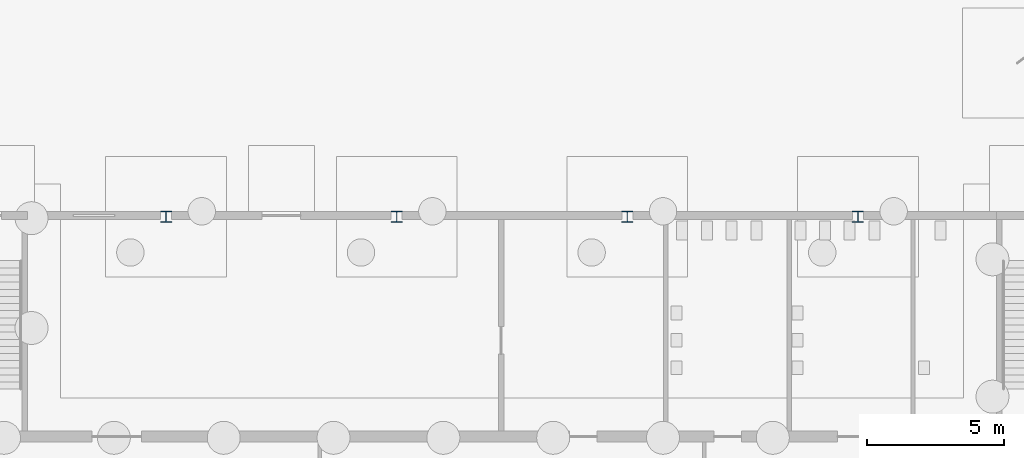
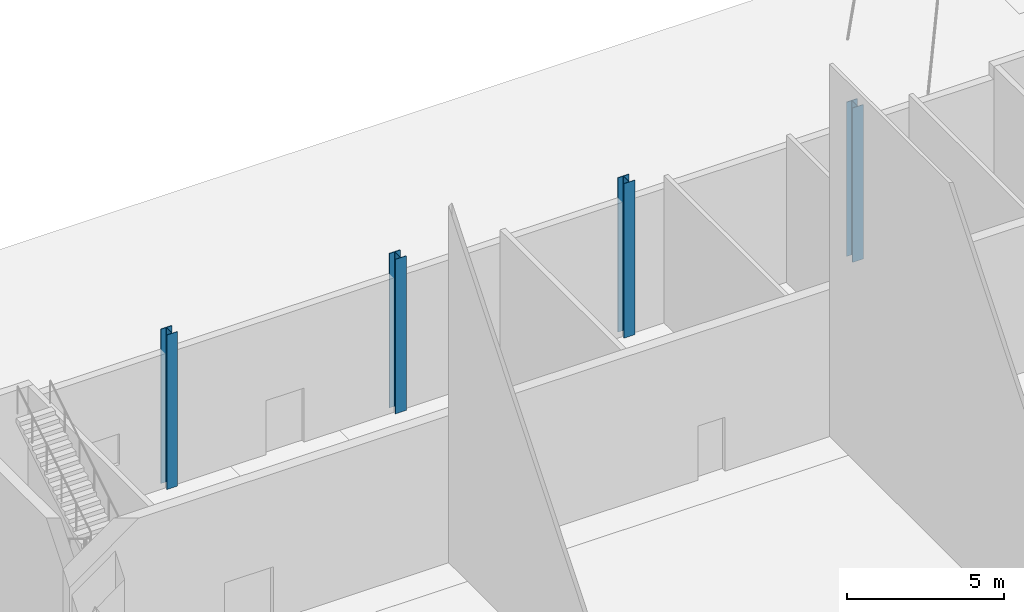
# One storey, part 23 of 108: 4 columns.
"""IFC4 building model written with IfcOpenShell, lengths in metres."""

import ifcopenshell
import ifcopenshell.guid

model = None  # the IFC model being written
_history = None  # IfcOwnerHistory: only IFC2X3 demands one
_inside = {}  # id of a spatial element -> (the spatial element, [elements in it])
_under = {}  # id of a project, library or spatial element -> (it, [spatial elements below it])
_declared = {}  # id of a project -> (the project, [libraries it declares])
_typed = {}  # id of a type object -> (the type object, [elements of that type])
_made_of = {}  # id of a material, layer set ... -> (it, [elements and type objects made of it])


def new_model(schema):
    """Start an empty IFC model of exactly this schema.

    Asked for "IFC4X3", IfcOpenShell would pick the latest addendum, in which some entities
    have other attributes; the version numbers below select the first issue.
    IFC2X3 requires an IfcOwnerHistory on every rooted entity: one is made here for all.
    """
    global model, _history
    if schema == "IFC4X3":
        model = ifcopenshell.file(schema_version=(4, 3, 0, 0))
    else:
        model = ifcopenshell.file(schema=schema)
    _inside.clear()
    _under.clear()
    _declared.clear()
    _typed.clear()
    _made_of.clear()
    _history = None
    if model.schema == "IFC2X3":
        org = make("IfcOrganization", Name="unknown")
        user = make(
            "IfcPersonAndOrganization",
            ThePerson=make("IfcPerson", FamilyName="unknown"),
            TheOrganization=org,
        )
        app = make(
            "IfcApplication",
            ApplicationDeveloper=org,
            Version="unknown",
            ApplicationFullName="unknown",
            ApplicationIdentifier="unknown",
        )
        _history = make(
            "IfcOwnerHistory",
            OwningUser=user,
            OwningApplication=app,
            ChangeAction="ADDED",
            CreationDate=0,
        )
    return model


def make(cls, **values):
    """One entity of the class cls with the attributes given. An attribute that is None is left unset."""
    return model.create_entity(
        cls, **{name: value for name, value in values.items() if value is not None}
    )


def rooted(cls, **values):
    """An entity with a GlobalId (a new one), such as an element, a storey or a relation."""
    return make(cls, GlobalId=ifcopenshell.guid.new(), OwnerHistory=_history, **values)


def si_unit(unit_type, name, prefix=None):
    """IfcSIUnit, for example si_unit("LENGTHUNIT", "METRE", prefix="MILLI")."""
    return make("IfcSIUnit", UnitType=unit_type, Prefix=prefix, Name=name)


def assignment(units):
    """IfcUnitAssignment: the units of a project."""
    return None if units is None else make("IfcUnitAssignment", Units=units)


def point(xyz):
    """IfcCartesianPoint."""
    return None if xyz is None else make("IfcCartesianPoint", Coordinates=xyz)


def direction(xyz):
    """IfcDirection."""
    return None if xyz is None else make("IfcDirection", DirectionRatios=xyz)


def frame(location, z_axis=None, x_axis=None):
    """IfcAxis2Placement3D, a coordinate frame: its origin and axes. An axis left out is left unset."""
    return make(
        "IfcAxis2Placement3D",
        Location=point(location),
        Axis=direction(z_axis),
        RefDirection=direction(x_axis),
    )


def frame_2d(location, x_axis=None):
    """IfcAxis2Placement2D, a coordinate frame in the plane: its origin and x axis."""
    return make(
        "IfcAxis2Placement2D", Location=point(location), RefDirection=direction(x_axis)
    )


def origin():
    """The frame at (0, 0, 0) with its axes left unset."""
    return frame((0.0, 0.0, 0.0))


def origin_2d():
    """The frame at (0, 0) in the plane with its x axis left unset."""
    return frame_2d((0.0, 0.0))


def place(relative_to, where):
    """IfcLocalPlacement: puts the frame where relative to a parent placement (None: the world)."""
    return make(
        "IfcLocalPlacement", PlacementRelTo=relative_to, RelativePlacement=where
    )


def context(
    kind, dimensions, precision=None, world=None, true_north=None, identifier=None
):
    """IfcGeometricRepresentationContext, for example the 3D "Model" context."""
    return make(
        "IfcGeometricRepresentationContext",
        ContextIdentifier=identifier,
        ContextType=kind,
        CoordinateSpaceDimension=dimensions,
        Precision=precision,
        WorldCoordinateSystem=world,
        TrueNorth=true_north,
    )


def subcontext(parent, identifier, kind, view, scale=None):
    """IfcGeometricRepresentationSubContext, for example "Body" below "Model"."""
    return make(
        "IfcGeometricRepresentationSubContext",
        ContextIdentifier=identifier,
        ContextType=kind,
        ParentContext=parent,
        TargetScale=scale,
        TargetView=view,
    )


def project(units=None, contexts=None):
    """IfcProject with its units and contexts."""
    return rooted(
        "IfcProject",
        Name="project",
        RepresentationContexts=contexts,
        UnitsInContext=assignment(units),
    )


def spatial(cls, under=None, at=None, **own):
    """A site, building, storey or space (cls), placed at a placement, below another one or the project."""
    s = rooted(cls, ObjectPlacement=at, **own)
    if under is not None:
        _under.setdefault(under.id(), (under, []))[1].append(s)
    return s


def profile(cls, at=None, kind="AREA", **sizes):
    """A parametric profile (cls). Its sizes go by their IFC names, for example OverallWidth=200.0."""
    return make(cls, ProfileType=kind, Position=at, **sizes)


def i_section(**sizes):
    """IfcIShapeProfileDef."""
    return profile("IfcIShapeProfileDef", **sizes)


def extrude(swept, where, along, depth):
    """IfcExtrudedAreaSolid: the profile swept, set in the frame where, extruded along a direction by depth."""
    return make(
        "IfcExtrudedAreaSolid",
        SweptArea=swept,
        Position=where,
        ExtrudedDirection=direction(along),
        Depth=depth,
    )


def shape(context_of_items, identifier, shape_type, items):
    """IfcShapeRepresentation: the items that make up one representation, for example the "Body"."""
    return make(
        "IfcShapeRepresentation",
        ContextOfItems=context_of_items,
        RepresentationIdentifier=identifier,
        RepresentationType=shape_type,
        Items=items,
    )


def material(Name=None, Category=None):
    """IfcMaterial."""
    return make("IfcMaterial", Name=Name, Category=Category)


def material_profile(
    of_material, cross_section, Name=None, Category=None, Priority=None
):
    """IfcMaterialProfile: a cross section and its material."""
    return make(
        "IfcMaterialProfile",
        Name=Name,
        Material=of_material,
        Profile=cross_section,
        Priority=Priority,
        Category=Category,
    )


def profile_set(profiles, Name=None, composite=None):
    """IfcMaterialProfileSet."""
    return make(
        "IfcMaterialProfileSet",
        Name=Name,
        MaterialProfiles=profiles,
        CompositeProfile=composite,
    )


def made_of(thing, what):
    """Note that an element or type object is made of a material, layer set ...; save() writes the relation."""
    if what is not None:
        _made_of.setdefault(what.id(), (what, []))[1].append(thing)
    return thing


def type_object(cls, material=None, **own):
    """A type object (cls), such as IfcWallType, which elements share."""
    return made_of(rooted(cls, **own), material)


def element(
    cls,
    number,
    at=None,
    inside=None,
    cuts=None,
    type_object=None,
    material=None,
    context=None,
    identifier="Body",
    shape_type=None,
    held_by="IfcProductDefinitionShape",
    body=None,
    shapes=None,
    **own,
):
    """One element of the class cls, such as IfcWall. Its Tag is "e" and its number.

    at: its placement. inside: the storey or other place that contains it. cuts: it is an
    opening in that element (IfcRelVoidsElement). A single representation is given by context,
    identifier, shape_type and body (its items); several are given by shapes. held_by: the class
    of the entity that holds the representations. save() writes the other relations.
    """
    e = rooted(cls, Tag="e%d" % number, ObjectPlacement=at, **own)
    if body is not None:
        shapes = [shape(context, identifier, shape_type, body)]
    if shapes is not None:
        e.Representation = make(held_by, Representations=shapes)
    if inside is not None:
        _inside.setdefault(inside.id(), (inside, []))[1].append(e)
    if cuts is not None:
        rooted(
            "IfcRelVoidsElement", RelatingBuildingElement=cuts, RelatedOpeningElement=e
        )
    if type_object is not None:
        _typed.setdefault(type_object.id(), (type_object, []))[1].append(e)
    return made_of(e, material)


def aggregate(whole, parts):
    """IfcRelAggregates: a whole, such as a stair, and the parts it consists of."""
    return rooted("IfcRelAggregates", RelatingObject=whole, RelatedObjects=parts)


def save(model, path):
    """Write the relations noted so far, then the file.

    IfcRelAggregates (storeys below a building ...), IfcRelContainedInSpatialStructure (elements
    in a storey), IfcRelDefinesByType, IfcRelAssociatesMaterial and IfcRelDeclares: one each for
    every whole, place, type object, material and project.
    """
    for whole, parts in _under.values():
        aggregate(whole, parts)
    for where, things in _inside.values():
        rooted(
            "IfcRelContainedInSpatialStructure",
            RelatedElements=things,
            RelatingStructure=where,
        )
    for kind, things in _typed.values():
        rooted("IfcRelDefinesByType", RelatedObjects=things, RelatingType=kind)
    for what, things in _made_of.values():
        rooted("IfcRelAssociatesMaterial", RelatedObjects=things, RelatingMaterial=what)
    for by, libraries in _declared.values():
        rooted("IfcRelDeclares", RelatingContext=by, RelatedDefinitions=libraries)
    model.write(path)


model = new_model("IFC4")

# Units and contexts
model_context = context("Model", 3, precision=1e-05, world=origin(), true_north=direction((0.0, 1.0)))
body_context = subcontext(model_context, "Body", "Model", "MODEL_VIEW")
ifc_project = project(units=[si_unit("LENGTHUNIT", "METRE"), si_unit("AREAUNIT", "SQUARE_METRE"), si_unit("VOLUMEUNIT", "CUBIC_METRE"), si_unit("PLANEANGLEUNIT", "RADIAN"), si_unit("MASSUNIT", "GRAM", prefix="KILO")], contexts=[model_context])

# Site, building, storey
site_placement = place(None, origin())
site = spatial("IfcSite", under=ifc_project, at=site_placement, CompositionType="ELEMENT")
building_placement = place(site_placement, origin())
building = spatial("IfcBuilding", under=site, at=building_placement, Name="Cresset Court Congress Hotel", CompositionType="ELEMENT")
storey_placement = place(building_placement, origin())
storey = spatial("IfcBuildingStorey", under=building, at=storey_placement, Name="L00", CompositionType="ELEMENT", Elevation=0.0)

# Columns
ifc_material = material(Name="Structural steel Q355B", Category="steel")
ifc_material_profile = material_profile(ifc_material, i_section(OverallWidth=0.39990234375, OverallDepth=0.39990234375, WebThickness=0.012939453125, FlangeThickness=0.02099609375, FilletRadius=0.02197265625, at=origin_2d()), Name="HW400x400x13x21")
ifc_profile_set = profile_set([ifc_material_profile], Name="Structural steel Q355B")
column_type = type_object("IfcColumnType", Name="H-section column HW400x400x13x21", PredefinedType="COLUMN", material=ifc_profile_set)
for number, where, z_axis, x_axis, name in (
    (1, (16.800048828125, 109.0, 0.0), (0.0, 0.0, 1.0), (1.0, 0.0, 0.0), "Column D1"),
    (2, (25.199951171875, 109.0, 0.0), (0.0, 0.0, 1.0), (1.0, 0.0, 0.0), "Column D2"),
    (3, (33.60009765625, 109.0, 0.0), (0.0, 0.0, 1.0), (1.0, 0.0, 0.0), "Column D3"),
    (4, (42.0, 109.0, 0.0), (0.0, 0.0, 1.0), (1.0, 0.0, 0.0), "Column D4"),
):
    element("IfcColumn", number, at=place(storey_placement, frame(where, z_axis=z_axis, x_axis=x_axis)), inside=storey, type_object=column_type, Name=name, PredefinedType="COLUMN", context=body_context, shape_type="SweptSolid", body=[
        extrude(i_section(OverallWidth=0.39990234375, OverallDepth=0.39990234375, WebThickness=0.012939453125, FlangeThickness=0.02099609375, FilletRadius=0.02197265625, at=origin_2d()), origin(), (0.0, 0.0, 1.0), 6.0),
    ])

save(model, "model.ifc")
